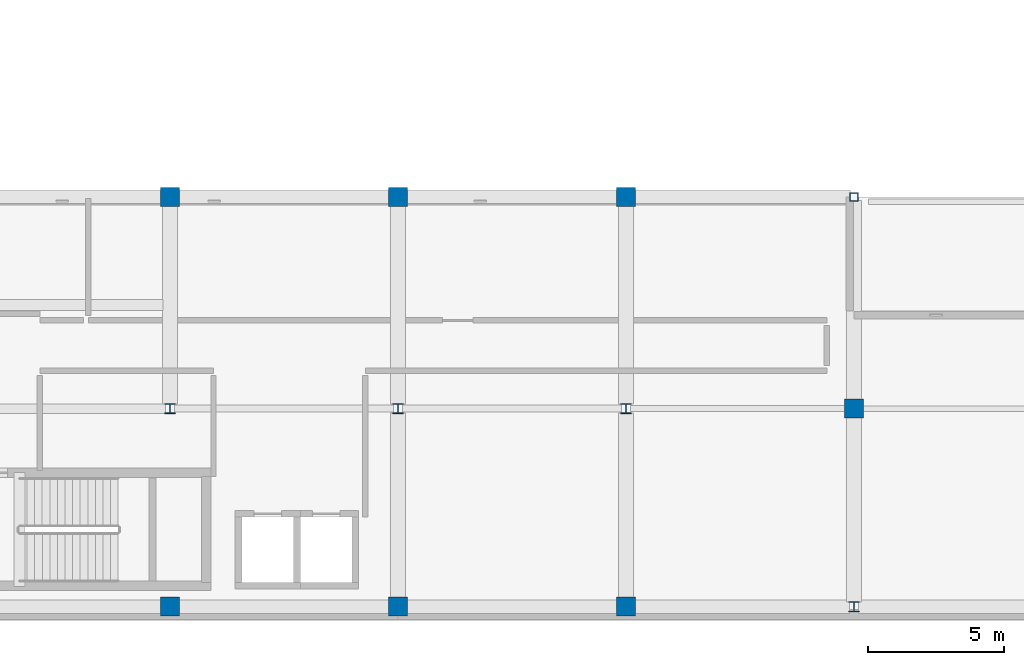
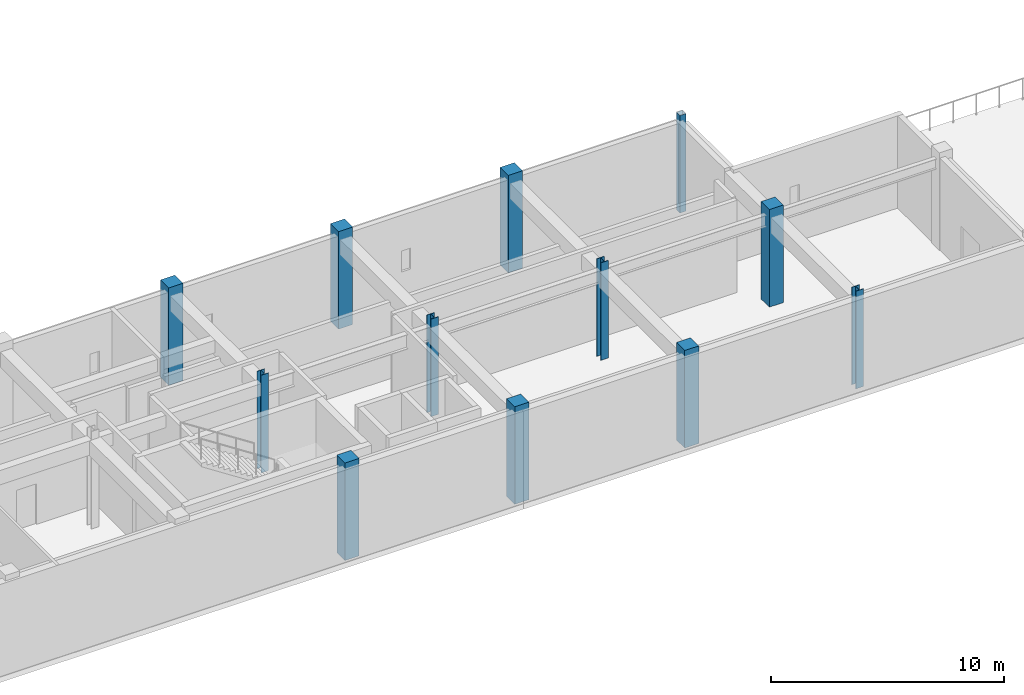
# One storey, part 2 of 78: 12 columns.
"""IFC4 building model written with IfcOpenShell, lengths in metres."""

from ifc_helpers import new_model, si_unit, direction, frame, origin, origin_2d, place, context, subcontext, project, spatial, rectangle, hollow_rectangle, i_section, extrude, material, material_profile, profile_set, type_object, element, save


model = new_model("IFC4")

# Units and contexts
model_context = context("Model", 3, precision=1e-05, world=origin(), true_north=direction((0.0, 1.0)))
body_context = subcontext(model_context, "Body", "Model", "MODEL_VIEW")
ifc_project = project(units=[si_unit("LENGTHUNIT", "METRE"), si_unit("AREAUNIT", "SQUARE_METRE"), si_unit("VOLUMEUNIT", "CUBIC_METRE"), si_unit("PLANEANGLEUNIT", "RADIAN"), si_unit("MASSUNIT", "GRAM", prefix="KILO")], contexts=[model_context])

# Site, building, storey
site_placement = place(None, origin())
site = spatial("IfcSite", under=ifc_project, at=site_placement, CompositionType="ELEMENT")
building_placement = place(site_placement, origin())
building = spatial("IfcBuilding", under=site, at=building_placement, Name="Quendrovan Civic Courthouse", CompositionType="ELEMENT")
storey_placement = place(building_placement, frame((0.0, 0.0, 10.199951171875)))
storey = spatial("IfcBuildingStorey", under=building, at=storey_placement, Name="L03", CompositionType="ELEMENT", Elevation=10.199951171875)

# Columns
ifc_material_1 = material(Name="Concrete C45/55", Category="concrete")
ifc_material_profile_1 = material_profile(ifc_material_1, rectangle(XDim=0.699951171875, YDim=0.699951171875, at=origin_2d()), Name="RC-COL-700x700")
ifc_profile_set_1 = profile_set([ifc_material_profile_1], Name="Concrete C45/55")
column_type_1 = type_object("IfcColumnType", Name="COL-RC700", PredefinedType="COLUMN", material=ifc_profile_set_1)
for number, where, z_axis, x_axis, name in (
    (1, (33.60009765625, 0.5, 0.0), (0.0, 0.0, 1.0), (1.0, 0.0, 0.0), "L03 Column 5-A"),
    (2, (33.60009765625, 15.60009765625, 0.0), (0.0, 0.0, 1.0), (1.0, 0.0, 0.0), "L03 Column 5-C"),
    (3, (42.0, 0.5, 0.0), (0.0, 0.0, 1.0), (1.0, 0.0, 0.0), "L03 Column 6-A"),
    (4, (42.0, 15.60009765625, 0.0), (0.0, 0.0, 1.0), (1.0, 0.0, 0.0), "L03 Column 6-C"),
    (5, (50.39990234375, 0.5, 0.0), (0.0, 0.0, 1.0), (1.0, 0.0, 0.0), "L03 Column 7-A"),
    (6, (50.39990234375, 15.60009765625, 0.0), (0.0, 0.0, 1.0), (1.0, 0.0, 0.0), "L03 Column 7-C"),
    (7, (58.800048828125, 7.800048828125, 0.0), (0.0, 0.0, 1.0), (1.0, 0.0, 0.0), "L03 Column 8-B"),
):
    element("IfcColumn", number, at=place(storey_placement, frame(where, z_axis=z_axis, x_axis=x_axis)), inside=storey, type_object=column_type_1, Name=name, PredefinedType="COLUMN", context=body_context, shape_type="SweptSolid", body=[
        extrude(rectangle(XDim=0.699951171875, YDim=0.699951171875, at=origin_2d()), origin(), (0.0, 0.0, 1.0), 5.10009765625),
    ])
ifc_material_2 = material(Name="Steel ASTM A500 Grade C", Category="steel")
ifc_material_profile_2 = material_profile(ifc_material_2, hollow_rectangle(XDim=0.300048828125, YDim=0.300048828125, WallThickness=0.011962890625, at=origin_2d()), Name="HSS300x300x12")
ifc_profile_set_2 = profile_set([ifc_material_profile_2], Name="Steel ASTM A500 Grade C")
column_type_2 = type_object("IfcColumnType", Name="COL-STL-HSS300S", PredefinedType="COLUMN", material=ifc_profile_set_2)
column_placement = place(storey_placement, frame((58.800048828125, 15.60009765625, 0.0), z_axis=(0.0, 0.0, 1.0), x_axis=(1.0, 0.0, 0.0)))
element("IfcColumn", 8, at=column_placement, inside=storey, type_object=column_type_2, Name="L03 Column 8-C", PredefinedType="COLUMN", context=body_context, shape_type="SweptSolid", body=[
    extrude(hollow_rectangle(XDim=0.300048828125, YDim=0.300048828125, WallThickness=0.011962890625, at=origin_2d()), origin(), (0.0, 0.0, 1.0), 5.10009765625),
])
ifc_material_3 = material(Name="Steel ASTM A992 Grade 50", Category="steel")
ifc_material_profile_3 = material_profile(ifc_material_3, i_section(OverallWidth=0.3740234375, OverallDepth=0.3720703125, WebThickness=0.016357421875, FlangeThickness=0.026123046875, at=origin_2d()), Name="W14X132")
ifc_profile_set_3 = profile_set([ifc_material_profile_3], Name="Steel ASTM A992 Grade 50")
column_type_3 = type_object("IfcColumnType", Name="COL-STL-W14X132", PredefinedType="COLUMN", material=ifc_profile_set_3)
for number, where, z_axis, x_axis, name in (
    (9, (33.60009765625, 7.800048828125, 0.0), (0.0, 0.0, 1.0), (1.0, 0.0, 0.0), "L03 Column 5-B"),
    (10, (42.0, 7.800048828125, 0.0), (0.0, 0.0, 1.0), (1.0, 0.0, 0.0), "L03 Column 6-B"),
    (11, (50.39990234375, 7.800048828125, 0.0), (0.0, 0.0, 1.0), (1.0, 0.0, 0.0), "L03 Column 7-B"),
    (12, (58.800048828125, 0.5, 0.0), (0.0, 0.0, 1.0), (1.0, 0.0, 0.0), "L03 Column 8-A"),
):
    element("IfcColumn", number, at=place(storey_placement, frame(where, z_axis=z_axis, x_axis=x_axis)), inside=storey, type_object=column_type_3, Name=name, PredefinedType="COLUMN", context=body_context, shape_type="SweptSolid", body=[
        extrude(i_section(OverallWidth=0.3740234375, OverallDepth=0.3720703125, WebThickness=0.016357421875, FlangeThickness=0.026123046875, at=origin_2d()), origin(), (0.0, 0.0, 1.0), 5.10009765625),
    ])

save(model, "model.ifc")
